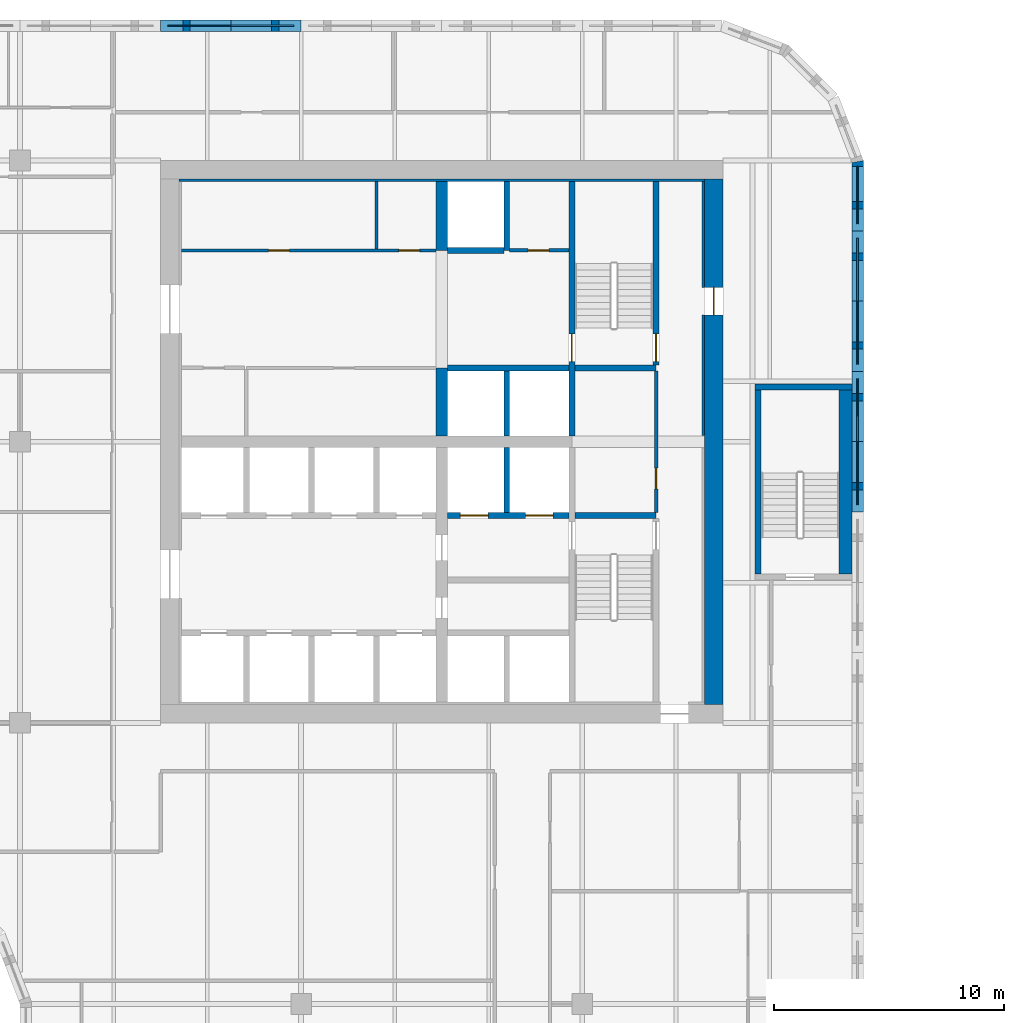
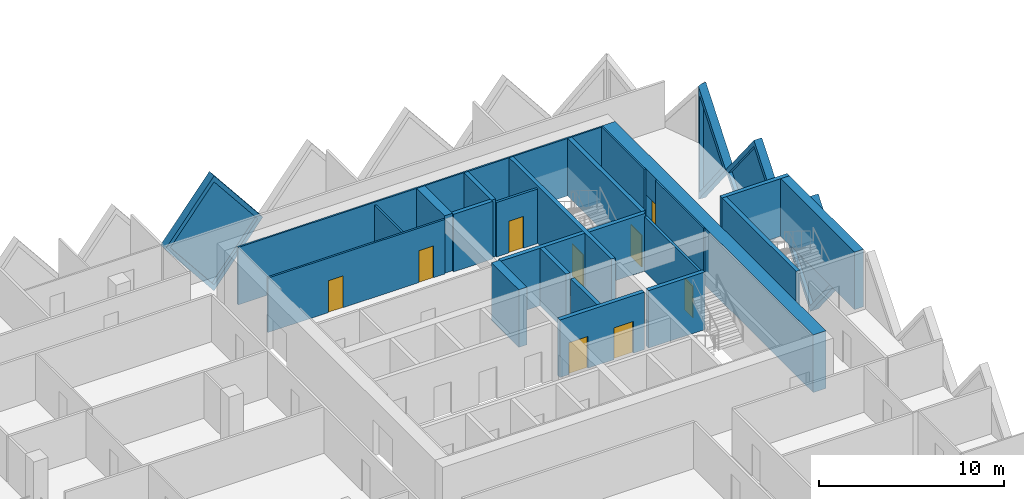
# One storey, part 10 of 19: 27 walls, 9 doors, 4 plates, 13 openings.
"""IFC4 building model written with IfcOpenShell, lengths in metres."""

from ifc_helpers import new_model, si_unit, direction, frame, frame_2d, origin, place, context, subcontext, project, spatial, polyline, rectangle, outline, extrude, faceted_brep, source, transform, mapped, material, layer, layer_set, type_object, element, fill, save


model = new_model("IFC4")

# Units and contexts
model_context = context("Model", 3, precision=1e-05, world=origin(), true_north=direction((0.0, 1.0)))
body_context = subcontext(model_context, "Body", "Model", "MODEL_VIEW")
ifc_project = project(units=[si_unit("LENGTHUNIT", "METRE"), si_unit("AREAUNIT", "SQUARE_METRE"), si_unit("VOLUMEUNIT", "CUBIC_METRE"), si_unit("PLANEANGLEUNIT", "RADIAN"), si_unit("MASSUNIT", "GRAM", prefix="KILO")], contexts=[model_context])

# Site, building, storey
site_placement = place(None, origin())
site = spatial("IfcSite", under=ifc_project, at=site_placement, CompositionType="ELEMENT")
building_placement = place(site_placement, origin())
building = spatial("IfcBuilding", under=site, at=building_placement, Name="Tessera Gate Towers", CompositionType="ELEMENT")
storey_placement = place(building_placement, frame((0.0, 0.0, 72.39990234375)))
storey = spatial("IfcBuildingStorey", under=building, at=storey_placement, Name="L17", CompositionType="ELEMENT", Elevation=72.39990234375)

# Wall, opening, door
ifc_material_1 = material(Name="Concrete C40/50", Category="concrete")
ifc_layer_1 = layer(ifc_material_1, 0.25)
ifc_layer_set_1 = layer_set([ifc_layer_1], Name="CORE ENCLOSURE WALL 250")
wall_type_1 = type_object("IfcWallType", Name="CORE ENCLOSURE WALL 250", PredefinedType="SOLIDWALL", material=ifc_layer_set_1)
wall_1_placement = place(storey_placement, frame((48.35009765625, 47.89990234375, 0.0), z_axis=(0.0, 0.0, 1.0), x_axis=(0.0, -1.0, 0.0)))
wall_1 = element("IfcWall", 1, at=wall_1_placement, inside=storey, type_object=wall_type_1, Name="L17 shaft and stair enclosure wall", PredefinedType="SOLIDWALL", context=body_context, shape_type="SweptSolid", body=[
    extrude(rectangle(XDim=11.0498046875, YDim=0.25, at=frame_2d((5.52490234375, 0.0))), origin(), (0.0, 0.0, 1.0), 3.800048828125),
])
shared_shape_1 = source(origin(), body_context, "Body", "SweptSolid", [
    extrude(rectangle(XDim=1.199951171875, YDim=2.10009765625, at=frame_2d((0.60009765625, 1.050048828125))), frame((0.0, 0.135009765625, 0.0), z_axis=(0.0, -1.0, 0.0), x_axis=(1.0, 0.0, 0.0)), (0.0, 0.0, 1.0), 0.27001953125),
])
opening_1_placement = place(wall_1_placement, frame((6.625, 0.0, 0.0)))
opening_1 = element("IfcOpeningElement", 2, at=opening_1_placement, cuts=wall_1, Name="Opening SD-ST2-1", PredefinedType="OPENING", context=body_context, shape_type="MappedRepresentation", body=[
    mapped(shared_shape_1, transform((0.0, 0.0, 0.0), scale=1.0)),
])
ifc_material_2 = material(Name="Hollow steel fire door", Category="steel")
door_type_1 = type_object("IfcDoorType", Name="CORE DOOR SD 1200x2100", OperationType="NOTDEFINED", PredefinedType="DOOR", material=ifc_material_2)
shared_shape_2 = source(origin(), body_context, "Body", "SweptSolid", [
    extrude(rectangle(XDim=1.199951171875, YDim=2.10009765625, at=frame_2d((0.60009765625, 1.050048828125))), frame((0.0, 0.02490234375, 0.0), z_axis=(0.0, -1.0, 0.0), x_axis=(1.0, 0.0, 0.0)), (0.0, 0.0, 1.0), 0.050048828125),
])
door_1_placement = place(opening_1_placement, origin())
door_1 = element("IfcDoor", 3, at=door_1_placement, inside=storey, type_object=door_type_1, Name="Stair door", OperationType="SINGLE_SWING_RIGHT", OverallHeight=2.10009765625, OverallWidth=1.199951171875, PredefinedType="DOOR", context=body_context, shape_type="MappedRepresentation", body=[
    mapped(shared_shape_2, transform((0.0, 0.0, 0.0), scale=1.0)),
])
fill(opening_1, door_1)

# Wall, openings, doors
wall_2_placement = place(storey_placement, frame((48.22509765625, 33.39990234375, 0.0), z_axis=(0.0, 0.0, 1.0), x_axis=(-1.0, 0.0, 0.0)))
wall_2 = element("IfcWall", 4, at=wall_2_placement, inside=storey, type_object=wall_type_1, Name="L17 shaft and stair enclosure wall", PredefinedType="SOLIDWALL", context=body_context, shape_type="SweptSolid", body=[
    extrude(rectangle(XDim=5.275146484375, YDim=0.25, at=frame_2d((2.6376953125, 0.0))), origin(), (0.0, 0.0, 1.0), 3.800048828125),
])
opening_2_placement = place(wall_2_placement, frame((3.512451171875, 0.0, 0.0)))
opening_2 = element("IfcOpeningElement", 5, at=opening_2_placement, cuts=wall_2, Name="Opening LD-FF1", PredefinedType="OPENING", context=body_context, shape_type="MappedRepresentation", body=[
    mapped(shared_shape_1, transform((0.0, 0.0, 0.0), scale=1.0)),
])
opening_3_placement = place(wall_2_placement, frame((0.6875, 0.0, 0.0)))
opening_3 = element("IfcOpeningElement", 6, at=opening_3_placement, cuts=wall_2, Name="Opening LD-FF2", PredefinedType="OPENING", context=body_context, shape_type="MappedRepresentation", body=[
    mapped(shared_shape_1, transform((0.0, 0.0, 0.0), scale=1.0)),
])
ifc_material_3 = material(Name="Stainless steel", Category="steel")
door_type_2 = type_object("IfcDoorType", Name="CORE DOOR LD1200 1200x2100", OperationType="DOUBLE_DOOR_SLIDING", PredefinedType="DOOR", material=ifc_material_3)
door_2_placement = place(opening_2_placement, origin())
door_2 = element("IfcDoor", 7, at=door_2_placement, inside=storey, type_object=door_type_2, Name="Landing door FF1 L17", OperationType="DOUBLE_DOOR_SLIDING", OverallHeight=2.10009765625, OverallWidth=1.199951171875, PredefinedType="DOOR", context=body_context, shape_type="MappedRepresentation", body=[
    mapped(shared_shape_2, transform((0.0, 0.0, 0.0), scale=1.0)),
])
fill(opening_2, door_2)
door_3_placement = place(opening_3_placement, origin())
door_3 = element("IfcDoor", 8, at=door_3_placement, inside=storey, type_object=door_type_2, Name="Landing door FF2 L17", OperationType="DOUBLE_DOOR_SLIDING", OverallHeight=2.10009765625, OverallWidth=1.199951171875, PredefinedType="DOOR", context=body_context, shape_type="MappedRepresentation", body=[
    mapped(shared_shape_2, transform((0.0, 0.0, 0.0), scale=1.0)),
])
fill(opening_3, door_3)

# Walls
wall_3_placement = place(storey_placement, frame((48.47509765625, 33.39990234375, 0.0), z_axis=(0.0, 0.0, 1.0), x_axis=(1.0, 0.0, 0.0)))
element("IfcWall", 9, at=wall_3_placement, inside=storey, type_object=wall_type_1, Name="L17 shaft and stair enclosure wall", PredefinedType="SOLIDWALL", context=body_context, shape_type="SweptSolid", body=[
    extrude(rectangle(XDim=3.52490234375, YDim=0.25, at=frame_2d((1.762451171875, 0.0))), origin(), (0.0, 0.0, 1.0), 3.800048828125),
])
wall_4_placement = place(storey_placement, frame((42.949951171875, 39.800048828125, 0.0), z_axis=(0.0, 0.0, 1.0), x_axis=(1.0, 0.0, 0.0)))
element("IfcWall", 10, at=wall_4_placement, inside=storey, type_object=wall_type_1, Name="L17 shaft and stair enclosure wall", PredefinedType="SOLIDWALL", context=body_context, shape_type="SweptSolid", body=[
    extrude(rectangle(XDim=5.275146484375, YDim=0.25, at=frame_2d((2.6376953125, 0.0))), origin(), (0.0, 0.0, 1.0), 3.800048828125),
])
wall_5_placement = place(storey_placement, frame((48.47509765625, 39.800048828125, 0.0), z_axis=(0.0, 0.0, 1.0), x_axis=(1.0, 0.0, 0.0)))
element("IfcWall", 11, at=wall_5_placement, inside=storey, type_object=wall_type_1, Name="L17 shaft and stair enclosure wall", PredefinedType="SOLIDWALL", context=body_context, shape_type="SweptSolid", body=[
    extrude(rectangle(XDim=3.52490234375, YDim=0.25, at=frame_2d((1.762451171875, 0.0))), origin(), (0.0, 0.0, 1.0), 3.800048828125),
])

# Wall, opening, door
wall_6_placement = place(storey_placement, frame((52.0, 39.925048828125, 0.0), z_axis=(0.0, 0.0, 1.0), x_axis=(0.0, 1.0, 0.0)))
wall_6 = element("IfcWall", 12, at=wall_6_placement, inside=storey, type_object=wall_type_1, Name="L17 shaft and stair enclosure wall", PredefinedType="SOLIDWALL", context=body_context, shape_type="SweptSolid", body=[
    extrude(rectangle(XDim=7.974853515625, YDim=0.25, at=frame_2d((3.9873046875, 0.0))), origin(), (0.0, 0.0, 1.0), 3.800048828125),
])
opening_4_placement = place(wall_6_placement, frame((0.14990234375, 0.0, 0.0)))
opening_4 = element("IfcOpeningElement", 13, at=opening_4_placement, cuts=wall_6, Name="Opening SD-ST2-2", PredefinedType="OPENING", context=body_context, shape_type="MappedRepresentation", body=[
    mapped(shared_shape_1, transform((0.0, 0.0, 0.0), scale=1.0)),
])
door_4_placement = place(opening_4_placement, origin())
door_4 = element("IfcDoor", 14, at=door_4_placement, inside=storey, type_object=door_type_1, Name="Stair door", OperationType="SINGLE_SWING_LEFT", OverallHeight=2.10009765625, OverallWidth=1.199951171875, PredefinedType="DOOR", context=body_context, shape_type="MappedRepresentation", body=[
    mapped(shared_shape_2, transform((0.0, 0.0, 0.0), scale=1.0)),
])
fill(opening_4, door_4)

# Walls
wall_7_placement = place(storey_placement, frame((45.52490234375, 33.52490234375, 0.0), z_axis=(0.0, 0.0, 1.0), x_axis=(0.0, 1.0, 0.0)))
element("IfcWall", 15, at=wall_7_placement, inside=storey, type_object=wall_type_1, Name="L17 shaft and stair enclosure wall", PredefinedType="SOLIDWALL", context=body_context, shape_type="SweptSolid", body=[
    extrude(rectangle(XDim=2.8251953125, YDim=0.25, at=frame_2d((1.41259765625, 0.0))), origin(), (0.0, 0.0, 1.0), 3.800048828125),
])
wall_8_placement = place(storey_placement, frame((45.52490234375, 36.85009765625, 0.0), z_axis=(0.0, 0.0, 1.0), x_axis=(0.0, 1.0, 0.0)))
element("IfcWall", 16, at=wall_8_placement, inside=storey, type_object=wall_type_1, Name="L17 shaft and stair enclosure wall", PredefinedType="SOLIDWALL", context=body_context, shape_type="SweptSolid", body=[
    extrude(rectangle(XDim=2.824951171875, YDim=0.25, at=frame_2d((1.41259765625, 0.0))), origin(), (0.0, 0.0, 1.0), 3.800048828125),
])
wall_9_placement = place(storey_placement, frame((45.52490234375, 44.89990234375, 0.0), z_axis=(0.0, 0.0, 1.0), x_axis=(0.0, 1.0, 0.0)))
element("IfcWall", 17, at=wall_9_placement, inside=storey, type_object=wall_type_1, Name="L17 shaft and stair enclosure wall", PredefinedType="SOLIDWALL", context=body_context, shape_type="SweptSolid", body=[
    extrude(rectangle(XDim=3.0, YDim=0.25, at=frame_2d((1.5, 0.0))), origin(), (0.0, 0.0, 1.0), 3.800048828125),
])
wall_10_placement = place(storey_placement, frame((42.949951171875, 44.89990234375, 0.0), z_axis=(0.0, 0.0, 1.0), x_axis=(1.0, 0.0, 0.0)))
element("IfcWall", 18, at=wall_10_placement, inside=storey, type_object=wall_type_1, Name="L17 shaft and stair enclosure wall", PredefinedType="SOLIDWALL", context=body_context, shape_type="SweptSolid", body=[
    extrude(rectangle(XDim=2.449951171875, YDim=0.25, at=frame_2d((1.22509765625, 0.0))), origin(), (0.0, 0.0, 1.0), 3.800048828125),
])
wall_11_placement = place(storey_placement, frame((56.425048828125, 30.85009765625, 0.0), z_axis=(0.0, 0.0, 1.0), x_axis=(0.0, 1.0, 0.0)))
element("IfcWall", 19, at=wall_11_placement, inside=storey, type_object=wall_type_1, Name="L17 ST5 enclosure wall", PredefinedType="SOLIDWALL", context=body_context, shape_type="SweptSolid", body=[
    extrude(rectangle(XDim=8.0, YDim=0.25, at=frame_2d((4.0, 0.0))), origin(), (0.0, 0.0, 1.0), 3.800048828125),
])
wall_12_placement = place(storey_placement, frame((56.300048828125, 38.97509765625, 0.0), z_axis=(0.0, 0.0, 1.0), x_axis=(1.0, 0.0, 0.0)))
element("IfcWall", 20, at=wall_12_placement, inside=storey, type_object=wall_type_1, Name="L17 ST5 enclosure wall", PredefinedType="SOLIDWALL", context=body_context, shape_type="SweptSolid", body=[
    extrude(rectangle(XDim=4.199951171875, YDim=0.25, at=frame_2d((2.10009765625, 0.0))), origin(), (0.0, 0.0, 1.0), 3.800048828125),
])
ifc_material_4 = material(Name="Concrete C40/50", Category="concrete")
ifc_layer_2 = layer(ifc_material_4, 0.550048828125)
ifc_layer_set_2 = layer_set([ifc_layer_2], Name="CORE ENCLOSURE WALL 550")
wall_type_2 = type_object("IfcWallType", Name="CORE ENCLOSURE WALL 550", PredefinedType="SOLIDWALL", material=ifc_layer_set_2)
wall_13_placement = place(storey_placement, frame((60.22509765625, 38.85009765625, 0.0), z_axis=(0.0, 0.0, 1.0), x_axis=(0.0, -1.0, 0.0)))
element("IfcWall", 21, at=wall_13_placement, inside=storey, type_object=wall_type_2, Name="L17 ST5 enclosure wall", PredefinedType="SOLIDWALL", context=body_context, shape_type="SweptSolid", body=[
    extrude(rectangle(XDim=8.0, YDim=0.550048828125, at=frame_2d((4.0, 0.0))), origin(), (0.0, 0.0, 1.0), 3.800048828125),
])

# Wall, openings, doors
ifc_material_5 = material(Name="Gypsum board on steel studs", Category="steel")
ifc_layer_3 = layer(ifc_material_5, 0.1201171875)
ifc_layer_set_3 = layer_set([ifc_layer_3], Name="CORE PARTITION 120")
wall_type_3 = type_object("IfcWallType", Name="CORE PARTITION 120", PredefinedType="PARTITIONING", material=ifc_layer_set_3)
wall_14_placement = place(storey_placement, frame((31.39990234375, 44.89990234375, 0.0), z_axis=(0.0, 0.0, 1.0), x_axis=(1.0, 0.0, 0.0)))
wall_14 = element("IfcWall", 22, at=wall_14_placement, inside=storey, type_object=wall_type_3, Name="L17 core partition", PredefinedType="PARTITIONING", context=body_context, shape_type="SweptSolid", body=[
    extrude(rectangle(XDim=11.050048828125, YDim=0.1201171875, at=frame_2d((5.52490234375, 0.0))), origin(), (0.0, 0.0, 1.0), 3.60009765625),
])
shared_shape_3 = source(origin(), body_context, "Body", "SweptSolid", [
    extrude(rectangle(XDim=0.89990234375, YDim=2.10009765625, at=frame_2d((0.449951171875, 1.050048828125))), frame((0.0, 0.070068359375, 0.0), z_axis=(0.0, -1.0, 0.0), x_axis=(1.0, 0.0, 0.0)), (0.0, 0.0, 1.0), 0.14013671875),
])
opening_5_placement = place(wall_14_placement, frame((3.78759765625, 0.0, 0.0)))
opening_5 = element("IfcOpeningElement", 23, at=opening_5_placement, cuts=wall_14, Name="Opening RD-T1-13-07", PredefinedType="OPENING", context=body_context, shape_type="MappedRepresentation", body=[
    mapped(shared_shape_3, transform((0.0, 0.0, 0.0), scale=1.0)),
])
opening_6_placement = place(wall_14_placement, frame((9.4375, 0.0, 0.0)))
opening_6 = element("IfcOpeningElement", 24, at=opening_6_placement, cuts=wall_14, Name="Opening RD-T1-13-08", PredefinedType="OPENING", context=body_context, shape_type="MappedRepresentation", body=[
    mapped(shared_shape_3, transform((0.0, 0.0, 0.0), scale=1.0)),
])
ifc_material_6 = material(Name="Hollow steel fire door", Category="steel")
door_type_3 = type_object("IfcDoorType", Name="CORE DOOR RD 900x2100", OperationType="NOTDEFINED", PredefinedType="DOOR", material=ifc_material_6)
shared_shape_4 = source(origin(), body_context, "Body", "SweptSolid", [
    extrude(rectangle(XDim=0.89990234375, YDim=2.10009765625, at=frame_2d((0.449951171875, 1.050048828125))), frame((0.0, 0.02490234375, 0.0), z_axis=(0.0, -1.0, 0.0), x_axis=(1.0, 0.0, 0.0)), (0.0, 0.0, 1.0), 0.050048828125),
])
door_5_placement = place(opening_5_placement, origin())
door_5 = element("IfcDoor", 25, at=door_5_placement, inside=storey, type_object=door_type_3, Name="Core room door", OperationType="SINGLE_SWING_LEFT", OverallHeight=2.10009765625, OverallWidth=0.89990234375, PredefinedType="DOOR", context=body_context, shape_type="MappedRepresentation", body=[
    mapped(shared_shape_4, transform((0.0, 0.0, 0.0), scale=1.0)),
])
fill(opening_5, door_5)
door_6_placement = place(opening_6_placement, origin())
door_6 = element("IfcDoor", 26, at=door_6_placement, inside=storey, type_object=door_type_3, Name="Core room door", OperationType="SINGLE_SWING_RIGHT", OverallHeight=2.10009765625, OverallWidth=0.89990234375, PredefinedType="DOOR", context=body_context, shape_type="MappedRepresentation", body=[
    mapped(shared_shape_4, transform((0.0, 0.0, 0.0), scale=1.0)),
])
fill(opening_6, door_6)

# Wall
wall_15_placement = place(storey_placement, frame((39.875, 44.9599609375, 0.0), z_axis=(0.0, 0.0, 1.0), x_axis=(0.0, 1.0, 0.0)))
element("IfcWall", 27, at=wall_15_placement, inside=storey, type_object=wall_type_3, Name="L17 core partition", PredefinedType="PARTITIONING", context=body_context, shape_type="SweptSolid", body=[
    extrude(rectangle(XDim=2.93994140625, YDim=0.1201171875, at=frame_2d((1.469970703125, 0.0))), origin(), (0.0, 0.0, 1.0), 3.60009765625),
])

# Wall, opening, door
ifc_material_7 = material(Name="Concrete C60/75", Category="concrete")
ifc_layer_4 = layer(ifc_material_7, 0.800048828125)
ifc_layer_set_4 = layer_set([ifc_layer_4], Name="CORE SHEAR WALL 800 C60/75")
wall_type_4 = type_object("IfcWallType", Name="CORE SHEAR WALL 800 C60/75", PredefinedType="SHEAR", material=ifc_layer_set_4)
wall_16_placement = place(storey_placement, frame((54.5, 48.0, 0.0), z_axis=(0.0, 0.0, 1.0), x_axis=(0.0, -1.0, 0.0)))
wall_16 = element("IfcWall", 28, at=wall_16_placement, inside=storey, type_object=wall_type_4, Name="Core wall E L17", PredefinedType="SHEAR", context=body_context, shape_type="SweptSolid", body=[
    extrude(rectangle(XDim=22.800048828125, YDim=0.800048828125, at=frame_2d((11.39990234375, 0.0))), origin(), (0.0, 0.0, 1.0), 3.800048828125),
])
shared_shape_5 = source(origin(), body_context, "Body", "SweptSolid", [
    extrude(rectangle(XDim=1.199951171875, YDim=2.10009765625, at=frame_2d((0.60009765625, 1.050048828125))), frame((0.0, 0.409912109375, 0.0), z_axis=(0.0, -1.0, 0.0), x_axis=(1.0, 0.0, 0.0)), (0.0, 0.0, 1.0), 0.820068359375),
])
opening_7_placement = place(wall_16_placement, frame((4.699951171875, 0.0, 0.0)))
opening_7 = element("IfcOpeningElement", 29, at=opening_7_placement, cuts=wall_16, Name="Opening ED-T1-13-04", PredefinedType="OPENING", context=body_context, shape_type="MappedRepresentation", body=[
    mapped(shared_shape_5, transform((0.0, 0.0, 0.0), scale=1.0)),
])
ifc_material_8 = material(Name="Hollow steel fire door", Category="steel")
door_type_4 = type_object("IfcDoorType", Name="CORE DOOR ED 1200x2100", OperationType="NOTDEFINED", PredefinedType="DOOR", material=ifc_material_8)
door_7_placement = place(opening_7_placement, origin())
door_7 = element("IfcDoor", 30, at=door_7_placement, inside=storey, type_object=door_type_4, Name="Core exit door", OperationType="SINGLE_SWING_LEFT", OverallHeight=2.10009765625, OverallWidth=1.199951171875, PredefinedType="DOOR", context=body_context, shape_type="MappedRepresentation", body=[
    mapped(shared_shape_2, transform((0.0, 0.0, 0.0), scale=1.0)),
])
fill(opening_7, door_7)

# Walls
ifc_material_9 = material(Name="Concrete C60/75", Category="concrete")
ifc_layer_5 = layer(ifc_material_9, 0.5)
ifc_layer_set_5 = layer_set([ifc_layer_5], Name="CORE SPINE WALL 500 C60/75")
wall_type_5 = type_object("IfcWallType", Name="CORE SPINE WALL 500 C60/75", PredefinedType="SHEAR", material=ifc_layer_set_5)
wall_17_placement = place(storey_placement, frame((42.699951171875, 36.85009765625, 0.0), z_axis=(0.0, 0.0, 1.0), x_axis=(0.0, 1.0, 0.0)))
element("IfcWall", 31, at=wall_17_placement, inside=storey, type_object=wall_type_5, Name="Core wall spine L17", PredefinedType="SHEAR", context=body_context, shape_type="SweptSolid", body=[
    extrude(rectangle(XDim=2.949951171875, YDim=0.5, at=frame_2d((1.47509765625, 0.0))), origin(), (0.0, 0.0, 1.0), 3.800048828125),
])
wall_18_placement = place(storey_placement, frame((42.699951171875, 44.89990234375, 0.0), z_axis=(0.0, 0.0, 1.0), x_axis=(0.0, 1.0, 0.0)))
element("IfcWall", 32, at=wall_18_placement, inside=storey, type_object=wall_type_5, Name="Core wall spine L17", PredefinedType="SHEAR", context=body_context, shape_type="SweptSolid", body=[
    extrude(rectangle(XDim=3.0, YDim=0.5, at=frame_2d((1.5, 0.0))), origin(), (0.0, 0.0, 1.0), 3.800048828125),
])
ifc_material_10 = material(Name="Concrete C60/75", Category="concrete")
ifc_layer_6 = layer(ifc_material_10, 0.10009765625)
ifc_layer_set_6 = layer_set([ifc_layer_6], Name="CORE WALL THICKENING 100")
wall_type_6 = type_object("IfcWallType", Name="CORE WALL THICKENING 100", PredefinedType="SOLIDWALL", material=ifc_layer_set_6)
wall_19_placement = place(storey_placement, frame((31.300048828125, 47.949951171875, 0.0), z_axis=(0.0, 0.0, 1.0), x_axis=(1.0, 0.0, 0.0)))
element("IfcWall", 33, at=wall_19_placement, inside=storey, type_object=wall_type_6, Name="Core wall thickening N L17", PredefinedType="SOLIDWALL", context=body_context, shape_type="SweptSolid", body=[
    extrude(rectangle(XDim=22.800048828125, YDim=0.10009765625, at=frame_2d((11.39990234375, 0.0))), origin(), (0.0, 0.0, 1.0), 3.800048828125),
])
wall_20_placement = place(storey_placement, frame((54.050048828125, 36.8798828125, 0.0), z_axis=(0.0, 0.0, 1.0), x_axis=(0.0, 1.0, 0.0)))
element("IfcWall", 34, at=wall_20_placement, inside=storey, type_object=wall_type_6, Name="Core wall thickening E L17", PredefinedType="SOLIDWALL", context=body_context, shape_type="SweptSolid", body=[
    extrude(rectangle(XDim=5.22021484375, YDim=0.10009765625, at=frame_2d((2.610107421875, 0.0))), origin(), (0.0, 0.0, 1.0), 3.800048828125),
])
wall_21_placement = place(storey_placement, frame((54.050048828125, 43.300048828125, 0.0), z_axis=(0.0, 0.0, 1.0), x_axis=(0.0, 1.0, 0.0)))
element("IfcWall", 35, at=wall_21_placement, inside=storey, type_object=wall_type_6, Name="Core wall thickening E L17", PredefinedType="SOLIDWALL", context=body_context, shape_type="SweptSolid", body=[
    extrude(rectangle(XDim=4.599853515625, YDim=0.10009765625, at=frame_2d((2.2998046875, 0.0))), origin(), (0.0, 0.0, 1.0), 3.800048828125),
])

# Wall, opening, door
ifc_material_11 = material(Name="Gypsum board on steel studs", Category="steel")
ifc_layer_7 = layer(ifc_material_11, 0.14990234375)
ifc_layer_set_7 = layer_set([ifc_layer_7], Name="SERVICE ROOM WALL 150")
wall_type_7 = type_object("IfcWallType", Name="SERVICE ROOM WALL 150", PredefinedType="PARTITIONING", material=ifc_layer_set_7)
wall_22_placement = place(storey_placement, frame((52.0, 33.52490234375, 0.0), z_axis=(0.0, 0.0, 1.0), x_axis=(0.0, 1.0, 0.0)))
wall_22 = element("IfcWall", 36, at=wall_22_placement, inside=storey, type_object=wall_type_7, Name="L17 service room wall", PredefinedType="PARTITIONING", context=body_context, shape_type="SweptSolid", body=[
    extrude(rectangle(XDim=6.150146484375, YDim=0.14990234375, at=frame_2d((3.0751953125, 0.0))), origin(), (0.0, 0.0, 1.0), 3.60009765625),
])
shared_shape_6 = source(origin(), body_context, "Body", "SweptSolid", [
    extrude(rectangle(XDim=0.89990234375, YDim=2.10009765625, at=frame_2d((0.449951171875, 1.050048828125))), frame((0.0, 0.0849609375, 0.0), z_axis=(0.0, -1.0, 0.0), x_axis=(1.0, 0.0, 0.0)), (0.0, 0.0, 1.0), 0.169921875),
])
opening_8_placement = place(wall_22_placement, frame((1.02490234375, 0.0, 0.0)))
opening_8 = element("IfcOpeningElement", 37, at=opening_8_placement, cuts=wall_22, Name="Opening RD-T1-13-10", PredefinedType="OPENING", context=body_context, shape_type="MappedRepresentation", body=[
    mapped(shared_shape_6, transform((0.0, 0.0, 0.0), scale=1.0)),
])
door_8_placement = place(opening_8_placement, origin())
door_8 = element("IfcDoor", 38, at=door_8_placement, inside=storey, type_object=door_type_3, Name="Core room door", OperationType="SINGLE_SWING_LEFT", OverallHeight=2.10009765625, OverallWidth=0.89990234375, PredefinedType="DOOR", context=body_context, shape_type="MappedRepresentation", body=[
    mapped(shared_shape_4, transform((0.0, 0.0, 0.0), scale=1.0)),
])
fill(opening_8, door_8)

wall_23_placement = place(storey_placement, frame((45.64990234375, 44.89990234375, 0.0), z_axis=(0.0, 0.0, 1.0), x_axis=(1.0, 0.0, 0.0)))
wall_23 = element("IfcWall", 39, at=wall_23_placement, inside=storey, type_object=wall_type_7, Name="L17 service room wall", PredefinedType="PARTITIONING", context=body_context, shape_type="SweptSolid", body=[
    extrude(rectangle(XDim=2.5751953125, YDim=0.14990234375, at=frame_2d((1.28759765625, 0.0))), origin(), (0.0, 0.0, 1.0), 3.60009765625),
])
opening_9_placement = place(wall_23_placement, frame((0.800048828125, 0.0, 0.0)))
opening_9 = element("IfcOpeningElement", 40, at=opening_9_placement, cuts=wall_23, Name="Opening RD-T1-13-11", PredefinedType="OPENING", context=body_context, shape_type="MappedRepresentation", body=[
    mapped(shared_shape_6, transform((0.0, 0.0, 0.0), scale=1.0)),
])
door_9_placement = place(opening_9_placement, origin())
door_9 = element("IfcDoor", 41, at=door_9_placement, inside=storey, type_object=door_type_3, Name="Core room door", OperationType="SINGLE_SWING_LEFT", OverallHeight=2.10009765625, OverallWidth=0.89990234375, PredefinedType="DOOR", context=body_context, shape_type="MappedRepresentation", body=[
    mapped(shared_shape_4, transform((0.0, 0.0, 0.0), scale=1.0)),
])
fill(opening_9, door_9)

# Wall, opening, plate
ifc_material_12 = material(Name="Precast concrete C60/75 white", Category="concrete")
ifc_layer_8 = layer(ifc_material_12, 0.5)
ifc_layer_set_8 = layer_set([ifc_layer_8], Name="TS1 tessera")
wall_type_8 = type_object("IfcWallType", Name="TS1 tessera", PredefinedType="SOLIDWALL", material=ifc_layer_set_8)
shared_shape_7 = source(origin(), body_context, "Body", "Brep", [
    faceted_brep([(3.050048828125, -0.25, 0.0), (6.099853515625, -0.25, 3.799560546875), (6.099853515625, -0.25, 3.800048828125), (3.050048828125, -0.25, 7.599853515625), (0.0, -0.25, 3.7998046875), (0.0, 0.25, 3.7998046875), (3.050048828125, 0.25, 7.599853515625), (6.099853515625, 0.25, 3.800048828125), (6.099853515625, 0.25, 3.799560546875), (3.050048828125, 0.25, 0.0)], [[[0, 1, 2, 3, 4]], [[5, 6, 7, 8, 9]], [[9, 8, 1, 0]], [[7, 6, 3, 2]], [[6, 5, 4, 3]], [[5, 9, 0, 4]], [[1, 8, 7, 2]]]),
])
wall_24_placement = place(storey_placement, frame((60.75, 33.550048828125, -3.7998046875), z_axis=(0.0, 0.0, 1.0), x_axis=(0.0, 1.0, 0.0)))
wall_24 = element("IfcWall", 42, at=wall_24_placement, inside=storey, type_object=wall_type_8, Name="Precast tessera T1 TS1-0238", PredefinedType="SOLIDWALL", context=body_context, shape_type="MappedRepresentation", body=[
    mapped(shared_shape_7, transform((0.0, 0.0, 0.0), scale=1.0)),
])
shared_shape_8 = source(origin(), body_context, "Body", "SweptSolid", [
    extrude(outline(polyline([(3.050048828125, 0.3994140625), (5.779541015625, 3.7998046875), (3.050048828125, 7.200439453125), (0.320556640625, 3.7998046875), (3.050048828125, 0.3994140625)])), frame((0.0, 0.260009765625, 0.0), z_axis=(0.0, -1.0, 0.0), x_axis=(1.0, 0.0, 0.0)), (0.0, 0.0, 1.0), 0.52001953125),
])
opening_10_placement = place(wall_24_placement, origin())
opening_10 = element("IfcOpeningElement", 43, at=opening_10_placement, cuts=wall_24, Name="Opening T1-PL2-0482", PredefinedType="OPENING", context=body_context, shape_type="MappedRepresentation", body=[
    mapped(shared_shape_8, transform((0.0, 0.0, 0.0), scale=1.0)),
])
ifc_material_13 = material(Name="Low-e laminated glass", Category="glass")
ifc_layer_9 = layer(ifc_material_13, 0.06005859375)
ifc_layer_set_9 = layer_set([ifc_layer_9], Name="PL2 rhombic pane")
plate_type = type_object("IfcPlateType", Name="PL2 rhombic pane", PredefinedType="SHEET", material=ifc_layer_set_9)
shared_shape_9 = source(origin(), body_context, "Body", "SweptSolid", [
    extrude(outline(polyline([(3.050048828125, 0.3994140625), (5.779541015625, 3.7998046875), (3.050048828125, 7.200439453125), (0.320556640625, 3.7998046875), (3.050048828125, 0.3994140625)])), frame((0.0, 0.030029296875, 0.0), z_axis=(0.0, -1.0, 0.0), x_axis=(1.0, 0.0, 0.0)), (0.0, 0.0, 1.0), 0.06005859375),
])
plate_1_placement = place(opening_10_placement, origin())
plate_1 = element("IfcPlate", 44, at=plate_1_placement, inside=storey, type_object=plate_type, Name="Glass pane T1 PL2-0482", PredefinedType="SHEET", context=body_context, shape_type="MappedRepresentation", body=[
    mapped(shared_shape_9, transform((0.0, 0.0, 0.0), scale=1.0)),
])
fill(opening_10, plate_1)

shared_shape_10 = source(origin(), body_context, "Body", "SweptSolid", [
    extrude(outline(polyline([(3.050048828125, 0.0), (6.10009765625, 3.7998046875), (3.050048828125, 7.599853515625), (0.0, 3.7998046875), (3.050048828125, 0.0)])), frame((0.0, 0.25, 0.0), z_axis=(0.0, -1.0, 0.0), x_axis=(1.0, 0.0, 0.0)), (0.0, 0.0, 1.0), 0.5),
])
wall_25_placement = place(storey_placement, frame((60.75, 39.64990234375, -3.7998046875), z_axis=(0.0, 0.0, 1.0), x_axis=(0.0, 1.0, 0.0)))
wall_25 = element("IfcWall", 45, at=wall_25_placement, inside=storey, type_object=wall_type_8, Name="Precast tessera T1 TS1-0239", PredefinedType="SOLIDWALL", context=body_context, shape_type="MappedRepresentation", body=[
    mapped(shared_shape_10, transform((0.0, 0.0, 0.0), scale=1.0)),
])
opening_11_placement = place(wall_25_placement, origin())
opening_11 = element("IfcOpeningElement", 46, at=opening_11_placement, cuts=wall_25, Name="Opening T1-PL2-0483", PredefinedType="OPENING", context=body_context, shape_type="MappedRepresentation", body=[
    mapped(shared_shape_8, transform((0.0, 0.0, 0.0), scale=1.0)),
])
plate_2_placement = place(opening_11_placement, origin())
plate_2 = element("IfcPlate", 47, at=plate_2_placement, inside=storey, type_object=plate_type, Name="Glass pane T1 PL2-0483", PredefinedType="SHEET", context=body_context, shape_type="MappedRepresentation", body=[
    mapped(shared_shape_9, transform((0.0, 0.0, 0.0), scale=1.0)),
])
fill(opening_11, plate_2)

wall_26_placement = place(storey_placement, frame((36.60009765625, 54.64990234375, -3.7998046875), z_axis=(0.0, 0.0, 1.0), x_axis=(-1.0, 0.0, 0.0)))
wall_26 = element("IfcWall", 48, at=wall_26_placement, inside=storey, type_object=wall_type_8, Name="Precast tessera T1 TS1-0243", PredefinedType="SOLIDWALL", context=body_context, shape_type="MappedRepresentation", body=[
    mapped(shared_shape_10, transform((0.0, 0.0, 0.0), scale=1.0)),
])
opening_12_placement = place(wall_26_placement, origin())
opening_12 = element("IfcOpeningElement", 49, at=opening_12_placement, cuts=wall_26, Name="Opening T1-PL2-0491", PredefinedType="OPENING", context=body_context, shape_type="MappedRepresentation", body=[
    mapped(shared_shape_8, transform((0.0, 0.0, 0.0), scale=1.0)),
])
plate_3_placement = place(opening_12_placement, origin())
plate_3 = element("IfcPlate", 50, at=plate_3_placement, inside=storey, type_object=plate_type, Name="Glass pane T1 PL2-0491", PredefinedType="SHEET", context=body_context, shape_type="MappedRepresentation", body=[
    mapped(shared_shape_9, transform((0.0, 0.0, 0.0), scale=1.0)),
])
fill(opening_12, plate_3)

ifc_material_14 = material(Name="Precast concrete C60/75 white", Category="concrete")
ifc_layer_10 = layer(ifc_material_14, 0.5)
ifc_layer_set_10 = layer_set([ifc_layer_10], Name="TS3 corner tessera")
wall_type_9 = type_object("IfcWallType", Name="TS3 corner tessera", PredefinedType="SOLIDWALL", material=ifc_layer_set_10)
shared_shape_11 = source(origin(), body_context, "Body", "Brep", [
    faceted_brep([(3.00341796875, -0.25, 0.0), (3.050048828125, -0.25, 0.06005859375), (3.050048828125, -0.25, 7.539794921875), (3.00341796875, -0.25, 7.599853515625), (0.0, -0.25, 3.7998046875), (0.0, 0.25, 3.7998046875), (2.956787109375, 0.25, 7.541015625), (2.956787109375, 0.25, 0.058837890625), (3.00341796875, 0.000244140625, 0.0), (3.00341796875, 0.000244140625, 7.599853515625)], [[[0, 1, 2, 3, 4]], [[5, 6, 7]], [[1, 0, 8]], [[9, 3, 2]], [[6, 5, 4, 3, 9]], [[5, 7, 8, 0, 4]], [[1, 8, 7, 6, 9, 2]]]),
])
wall_27_placement = place(storey_placement, frame((60.75, 45.75, -3.7998046875), z_axis=(0.0, 0.0, 1.0), x_axis=(0.0, 1.0, 0.0)))
wall_27 = element("IfcWall", 51, at=wall_27_placement, inside=storey, type_object=wall_type_9, Name="Precast corner tessera T1 TS3-0365", PredefinedType="SOLIDWALL", context=body_context, shape_type="MappedRepresentation", body=[
    mapped(shared_shape_11, transform((0.0, 0.0, 0.0), scale=1.0)),
])
shared_shape_12 = source(origin(), body_context, "Body", "SweptSolid", [
    extrude(outline(polyline([(2.803466796875, 6.943603515625), (0.318603515625, 3.7998046875), (2.803466796875, 0.656005859375), (2.803466796875, 6.943603515625)])), frame((0.0, 0.260009765625, 0.0), z_axis=(0.0, -1.0, 0.0), x_axis=(1.0, 0.0, 0.0)), (0.0, 0.0, 1.0), 0.52001953125),
])
opening_13_placement = place(wall_27_placement, origin())
opening_13 = element("IfcOpeningElement", 52, at=opening_13_placement, cuts=wall_27, Name="Opening T1-PL2-0484", PredefinedType="OPENING", context=body_context, shape_type="MappedRepresentation", body=[
    mapped(shared_shape_12, transform((0.0, 0.0, 0.0), scale=1.0)),
])
shared_shape_13 = source(origin(), body_context, "Body", "SweptSolid", [
    extrude(outline(polyline([(2.803466796875, 6.943603515625), (0.318603515625, 3.7998046875), (2.803466796875, 0.656005859375), (2.803466796875, 6.943603515625)])), frame((0.0, 0.030029296875, 0.0), z_axis=(0.0, -1.0, 0.0), x_axis=(1.0, 0.0, 0.0)), (0.0, 0.0, 1.0), 0.06005859375),
])
plate_4_placement = place(opening_13_placement, origin())
plate_4 = element("IfcPlate", 53, at=plate_4_placement, inside=storey, type_object=plate_type, Name="Glass pane T1 PL2-0484", PredefinedType="SHEET", context=body_context, shape_type="MappedRepresentation", body=[
    mapped(shared_shape_13, transform((0.0, 0.0, 0.0), scale=1.0)),
])
fill(opening_13, plate_4)

save(model, "model.ifc")
